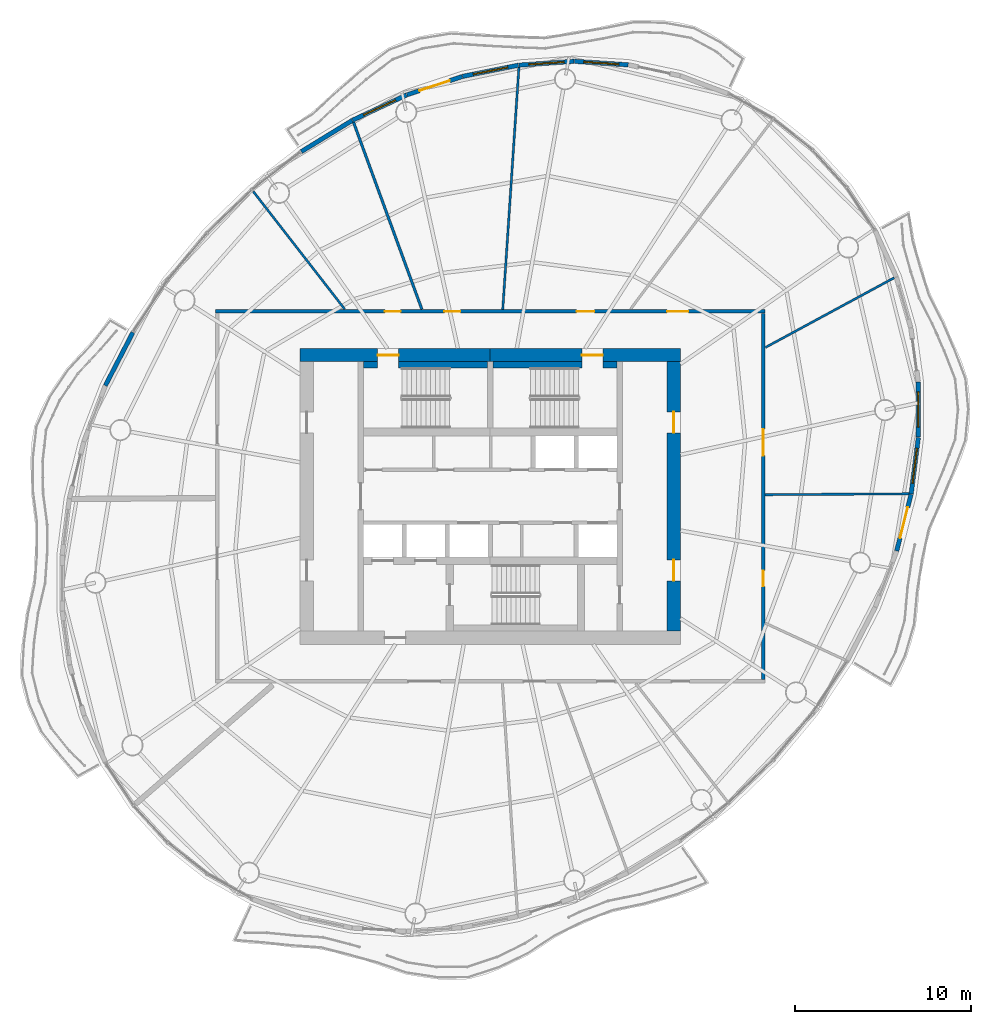
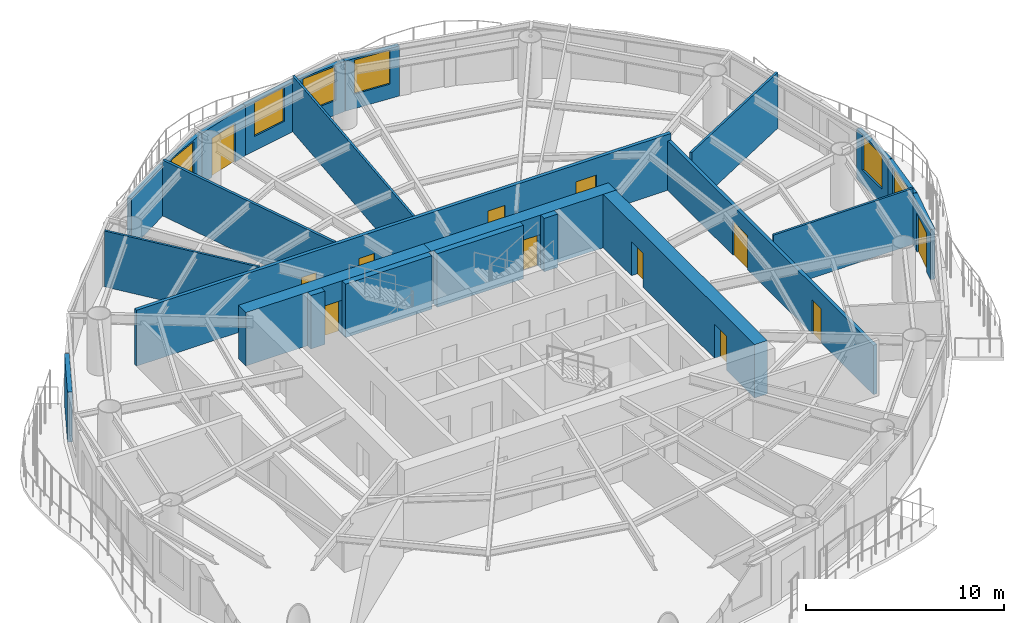
# One storey, part 10 of 15: 24 walls, 12 doors, 6 windows, 18 openings.
"""IFC4 building model written with IfcOpenShell, lengths in metres."""

from ifc_helpers import new_model, si_unit, direction, frame, frame_2d, origin, place, context, subcontext, project, spatial, rectangle, extrude, material, layer, layer_set, type_object, element, fill, save


model = new_model("IFC4")

# Units and contexts
model_context = context("Model", 3, precision=1e-05, world=origin(), true_north=direction((0.0, 1.0)))
body_context = subcontext(model_context, "Body", "Model", "MODEL_VIEW")
ifc_project = project(units=[si_unit("LENGTHUNIT", "METRE"), si_unit("AREAUNIT", "SQUARE_METRE"), si_unit("VOLUMEUNIT", "CUBIC_METRE"), si_unit("PLANEANGLEUNIT", "RADIAN"), si_unit("MASSUNIT", "GRAM", prefix="KILO")], contexts=[model_context])

# Site, building, storey
site_placement = place(None, origin())
site = spatial("IfcSite", under=ifc_project, at=site_placement, CompositionType="ELEMENT")
building_placement = place(site_placement, origin())
building = spatial("IfcBuilding", under=site, at=building_placement, Name="Vermilion Reach Broadcast Tower", CompositionType="ELEMENT")
storey_placement = place(building_placement, frame((0.0, 0.0, 220.89990234375)))
storey = spatial("IfcBuildingStorey", under=building, at=storey_placement, Name="L54", CompositionType="ELEMENT", Elevation=220.89990234375)

# Wall, opening, door
ifc_material_1 = material(Name="Concrete C60", Category="concrete")
ifc_layer_1 = layer(ifc_material_1, 0.75)
ifc_layer_set_1 = layer_set([ifc_layer_1], Name="Core outer wall 750 mm Concrete C60")
wall_type_1 = type_object("IfcWallType", Name="Core outer wall 750 mm Concrete C60", PredefinedType="SHEAR", material=ifc_layer_set_1)
wall_1_placement = place(storey_placement, frame((4.800048828125, 8.02490234375, 0.0), z_axis=(0.0, 0.0, 1.0), x_axis=(-1.0, 0.0, 0.0)))
wall_1 = element("IfcWall", 1, at=wall_1_placement, inside=storey, type_object=wall_type_1, Name="L54 core wall onE", PredefinedType="SHEAR", context=body_context, shape_type="SweptSolid", body=[
    extrude(rectangle(XDim=10.800048828125, YDim=0.75, at=frame_2d((5.39990234375, 0.0))), origin(), (0.0, 0.0, 1.0), 3.300048828125),
])
opening_1_placement = place(wall_1_placement, frame((4.39990234375, 0.0, 0.0)))
opening_1 = element("IfcOpeningElement", 2, at=opening_1_placement, cuts=wall_1, Name="Opening D01", PredefinedType="OPENING", context=body_context, shape_type="SweptSolid", body=[
    extrude(rectangle(XDim=1.199951171875, YDim=2.10009765625, at=frame_2d((0.60009765625, 1.050048828125))), frame((0.0, 0.385009765625, 0.0), z_axis=(0.0, -1.0, 0.0), x_axis=(1.0, 0.0, 0.0)), (0.0, 0.0, 1.0), 0.77001953125),
])
ifc_material_2 = material(Name="Painted steel fire door", Category="steel")
door_type_1 = type_object("IfcDoorType", Name="Stair door 1200 x 2100", OperationType="DOUBLE_DOOR_SINGLE_SWING", PredefinedType="NOTDEFINED", material=ifc_material_2)
door_1_placement = place(opening_1_placement, origin())
door_1 = element("IfcDoor", 3, at=door_1_placement, inside=storey, type_object=door_type_1, Name="L54 stair door ST2", OperationType="DOUBLE_DOOR_SINGLE_SWING", OverallHeight=2.10009765625, OverallWidth=1.199951171875, PredefinedType="NOTDEFINED", context=body_context, shape_type="SweptSolid", body=[
    extrude(rectangle(XDim=1.199951171875, YDim=2.10009765625, at=frame_2d((0.60009765625, 1.050048828125))), frame((0.0, 0.02490234375, 0.0), z_axis=(0.0, -1.0, 0.0), x_axis=(1.0, 0.0, 0.0)), (0.0, 0.0, 1.0), 0.050048828125),
])
fill(opening_1, door_1)

wall_2_placement = place(storey_placement, frame((-6.0, 8.02490234375, 0.0), z_axis=(0.0, 0.0, 1.0), x_axis=(-1.0, 0.0, 0.0)))
wall_2 = element("IfcWall", 4, at=wall_2_placement, inside=storey, type_object=wall_type_1, Name="L54 core wall onW", PredefinedType="SHEAR", context=body_context, shape_type="SweptSolid", body=[
    extrude(rectangle(XDim=10.800048828125, YDim=0.75, at=frame_2d((5.39990234375, 0.0))), origin(), (0.0, 0.0, 1.0), 3.300048828125),
])
opening_2_placement = place(wall_2_placement, frame((5.199951171875, 0.0, 0.0)))
opening_2 = element("IfcOpeningElement", 5, at=opening_2_placement, cuts=wall_2, Name="Opening D01", PredefinedType="OPENING", context=body_context, shape_type="SweptSolid", body=[
    extrude(rectangle(XDim=1.199951171875, YDim=2.10009765625, at=frame_2d((0.60009765625, 1.050048828125))), frame((0.0, 0.385009765625, 0.0), z_axis=(0.0, -1.0, 0.0), x_axis=(1.0, 0.0, 0.0)), (0.0, 0.0, 1.0), 0.77001953125),
])
door_2_placement = place(opening_2_placement, origin())
door_2 = element("IfcDoor", 6, at=door_2_placement, inside=storey, type_object=door_type_1, Name="L54 stair door ST1", OperationType="DOUBLE_DOOR_SINGLE_SWING", OverallHeight=2.10009765625, OverallWidth=1.199951171875, PredefinedType="NOTDEFINED", context=body_context, shape_type="SweptSolid", body=[
    extrude(rectangle(XDim=1.199951171875, YDim=2.10009765625, at=frame_2d((0.60009765625, 1.050048828125))), frame((0.0, 0.02490234375, 0.0), z_axis=(0.0, -1.0, 0.0), x_axis=(1.0, 0.0, 0.0)), (0.0, 0.0, 1.0), 0.050048828125),
])
fill(opening_2, door_2)

# Wall, openings, doors
wall_3_placement = place(storey_placement, frame((4.425048828125, -7.64990234375, 0.0), z_axis=(0.0, 0.0, 1.0), x_axis=(0.0, 1.0, 0.0)))
wall_3 = element("IfcWall", 7, at=wall_3_placement, inside=storey, type_object=wall_type_1, Name="L54 core wall oe", PredefinedType="SHEAR", context=body_context, shape_type="SweptSolid", body=[
    extrude(rectangle(XDim=15.2998046875, YDim=0.75, at=frame_2d((7.64990234375, 0.0))), origin(), (0.0, 0.0, 1.0), 3.300048828125),
])
opening_3_placement = place(wall_3_placement, frame((2.85009765625, 0.0, 0.0)))
opening_3 = element("IfcOpeningElement", 8, at=opening_3_placement, cuts=wall_3, Name="Opening D03", PredefinedType="OPENING", context=body_context, shape_type="SweptSolid", body=[
    extrude(rectangle(XDim=1.199951171875, YDim=2.10009765625, at=frame_2d((0.60009765625, 1.050048828125))), frame((0.0, 0.385009765625, 0.0), z_axis=(0.0, -1.0, 0.0), x_axis=(1.0, 0.0, 0.0)), (0.0, 0.0, 1.0), 0.77001953125),
])
opening_4_placement = place(wall_3_placement, frame((11.25, 0.0, 0.0)))
opening_4 = element("IfcOpeningElement", 9, at=opening_4_placement, cuts=wall_3, Name="Opening D03", PredefinedType="OPENING", context=body_context, shape_type="SweptSolid", body=[
    extrude(rectangle(XDim=1.199951171875, YDim=2.10009765625, at=frame_2d((0.60009765625, 1.050048828125))), frame((0.0, 0.385009765625, 0.0), z_axis=(0.0, -1.0, 0.0), x_axis=(1.0, 0.0, 0.0)), (0.0, 0.0, 1.0), 0.77001953125),
])
ifc_material_3 = material(Name="Painted steel fire door", Category="steel")
door_type_2 = type_object("IfcDoorType", Name="Core lobby door 1200 x 2100", OperationType="DOUBLE_DOOR_SINGLE_SWING", PredefinedType="NOTDEFINED", material=ifc_material_3)
door_3_placement = place(opening_3_placement, origin())
door_3 = element("IfcDoor", 10, at=door_3_placement, inside=storey, type_object=door_type_2, Name="L54 slot door E0", OperationType="DOUBLE_DOOR_SINGLE_SWING", OverallHeight=2.10009765625, OverallWidth=1.199951171875, PredefinedType="NOTDEFINED", context=body_context, shape_type="SweptSolid", body=[
    extrude(rectangle(XDim=1.199951171875, YDim=2.10009765625, at=frame_2d((0.60009765625, 1.050048828125))), frame((0.0, 0.02490234375, 0.0), z_axis=(0.0, -1.0, 0.0), x_axis=(1.0, 0.0, 0.0)), (0.0, 0.0, 1.0), 0.050048828125),
])
fill(opening_3, door_3)
door_4_placement = place(opening_4_placement, origin())
door_4 = element("IfcDoor", 11, at=door_4_placement, inside=storey, type_object=door_type_2, Name="L54 slot door E1", OperationType="DOUBLE_DOOR_SINGLE_SWING", OverallHeight=2.10009765625, OverallWidth=1.199951171875, PredefinedType="NOTDEFINED", context=body_context, shape_type="SweptSolid", body=[
    extrude(rectangle(XDim=1.199951171875, YDim=2.10009765625, at=frame_2d((0.60009765625, 1.050048828125))), frame((0.0, 0.02490234375, 0.0), z_axis=(0.0, -1.0, 0.0), x_axis=(1.0, 0.0, 0.0)), (0.0, 0.0, 1.0), 0.050048828125),
])
fill(opening_4, door_4)

# Walls
ifc_material_4 = material(Name="Concrete C60", Category="concrete")
ifc_layer_2 = layer(ifc_material_4, 0.35009765625)
ifc_layer_set_2 = layer_set([ifc_layer_2], Name="Core stair wall 350 mm Concrete C60")
wall_type_2 = type_object("IfcWallType", Name="Core stair wall 350 mm Concrete C60", PredefinedType="SHEAR", material=ifc_layer_set_2)
wall_4_placement = place(storey_placement, frame((-13.199951171875, 7.47509765625, 0.0), z_axis=(0.0, 0.0, 1.0), x_axis=(1.0, 0.0, 0.0)))
element("IfcWall", 12, at=wall_4_placement, inside=storey, type_object=wall_type_2, Name="L54 core wall l1a", PredefinedType="SHEAR", context=body_context, shape_type="SweptSolid", body=[
    extrude(rectangle(XDim=0.800048828125, YDim=0.35009765625, at=frame_2d((0.39990234375, 0.0))), origin(), (0.0, 0.0, 1.0), 3.300048828125),
])
for number, where, z_axis, x_axis, name in (
    (13, (-11.199951171875, 7.47509765625, 0.0), (0.0, 0.0, 1.0), (1.0, 0.0, 0.0), "L54 core wall l1b"),
    (14, (-5.85009765625, 7.47509765625, 0.0), (0.0, 0.0, 1.0), (1.0, 0.0, 0.0), "L54 core wall l2a"),
):
    element("IfcWall", number, at=place(storey_placement, frame(where, z_axis=z_axis, x_axis=x_axis)), inside=storey, type_object=wall_type_2, Name=name, PredefinedType="SHEAR", context=body_context, shape_type="SweptSolid", body=[
        extrude(rectangle(XDim=5.050048828125, YDim=0.35009765625, at=frame_2d((2.52490234375, 0.0))), origin(), (0.0, 0.0, 1.0), 3.300048828125),
    ])
wall_5_placement = place(storey_placement, frame((0.39990234375, 7.47509765625, 0.0), z_axis=(0.0, 0.0, 1.0), x_axis=(1.0, 0.0, 0.0)))
element("IfcWall", 15, at=wall_5_placement, inside=storey, type_object=wall_type_2, Name="L54 core wall l2b", PredefinedType="SHEAR", context=body_context, shape_type="SweptSolid", body=[
    extrude(rectangle(XDim=0.800048828125, YDim=0.35009765625, at=frame_2d((0.39990234375, 0.0))), origin(), (0.0, 0.0, 1.0), 3.300048828125),
])

# Wall, openings, doors
ifc_material_5 = material(Name="Fire-rated gypsum board partition")
ifc_layer_3 = layer(ifc_material_5, 0.199951171875)
ifc_layer_set_3 = layer_set([ifc_layer_3], Name="Corridor wall 200 fire-rated")
wall_type_3 = type_object("IfcWallType", Name="Corridor wall 200 fire-rated", PredefinedType="PARTITIONING", material=ifc_layer_set_3)
wall_6_placement = place(storey_placement, frame((-21.60009765625, 10.5, 0.0), z_axis=(0.0, 0.0, 1.0), x_axis=(1.0, 0.0, 0.0)))
wall_6 = element("IfcWall", 16, at=wall_6_placement, inside=storey, type_object=wall_type_3, Name="Corridor wall 54.N", PredefinedType="PARTITIONING", context=body_context, shape_type="SweptSolid", body=[
    extrude(rectangle(XDim=31.2001953125, YDim=0.199951171875, at=frame_2d((15.60009765625, 0.0))), origin(), (0.0, 0.0, 1.0), 3.4501953125),
])
opening_5_placement = place(wall_6_placement, frame((20.508544921875, 0.0, 0.0)))
opening_5 = element("IfcOpeningElement", 17, at=opening_5_placement, cuts=wall_6, Name="Opening D23", PredefinedType="OPENING", context=body_context, shape_type="SweptSolid", body=[
    extrude(rectangle(XDim=1.0, YDim=2.39990234375, at=frame_2d((0.5, 1.199951171875))), frame((0.0, 0.10986328125, 0.0), z_axis=(0.0, -1.0, 0.0), x_axis=(1.0, 0.0, 0.0)), (0.0, 0.0, 1.0), 0.219970703125),
])
opening_6_placement = place(wall_6_placement, frame((13.001220703125, 0.0, 0.0)))
opening_6 = element("IfcOpeningElement", 18, at=opening_6_placement, cuts=wall_6, Name="Opening D22", PredefinedType="OPENING", context=body_context, shape_type="SweptSolid", body=[
    extrude(rectangle(XDim=0.89990234375, YDim=2.10009765625, at=frame_2d((0.449951171875, 1.050048828125))), frame((0.0, 0.10986328125, 0.0), z_axis=(0.0, -1.0, 0.0), x_axis=(1.0, 0.0, 0.0)), (0.0, 0.0, 1.0), 0.219970703125),
])
opening_7_placement = place(wall_6_placement, frame((9.616943359375, 0.0, 0.0)))
opening_7 = element("IfcOpeningElement", 19, at=opening_7_placement, cuts=wall_6, Name="Opening D22", PredefinedType="OPENING", context=body_context, shape_type="SweptSolid", body=[
    extrude(rectangle(XDim=0.89990234375, YDim=2.10009765625, at=frame_2d((0.449951171875, 1.050048828125))), frame((0.0, 0.10986328125, 0.0), z_axis=(0.0, -1.0, 0.0), x_axis=(1.0, 0.0, 0.0)), (0.0, 0.0, 1.0), 0.219970703125),
])
opening_8_placement = place(wall_6_placement, frame((25.64599609375, 0.0, 0.0)))
opening_8 = element("IfcOpeningElement", 20, at=opening_8_placement, cuts=wall_6, Name="Opening D29", PredefinedType="OPENING", context=body_context, shape_type="SweptSolid", body=[
    extrude(rectangle(XDim=1.199951171875, YDim=2.39990234375, at=frame_2d((0.60009765625, 1.199951171875))), frame((0.0, 0.10986328125, 0.0), z_axis=(0.0, -1.0, 0.0), x_axis=(1.0, 0.0, 0.0)), (0.0, 0.0, 1.0), 0.219970703125),
])
ifc_material_6 = material(Name="Veneered timber door leaf", Category="wood")
door_type_3 = type_object("IfcDoorType", Name="Door single 1000x2400", OperationType="NOTDEFINED", PredefinedType="DOOR", material=ifc_material_6)
door_5_placement = place(opening_5_placement, origin())
door_5 = element("IfcDoor", 21, at=door_5_placement, inside=storey, type_object=door_type_3, Name="Door 54.01", OperationType="SINGLE_SWING_RIGHT", OverallHeight=2.39990234375, OverallWidth=1.0, PredefinedType="DOOR", context=body_context, shape_type="SweptSolid", body=[
    extrude(rectangle(XDim=1.0, YDim=2.39990234375, at=frame_2d((0.5, 1.199951171875))), frame((0.0, 0.02490234375, 0.0), z_axis=(0.0, -1.0, 0.0), x_axis=(1.0, 0.0, 0.0)), (0.0, 0.0, 1.0), 0.050048828125),
])
fill(opening_5, door_5)
ifc_material_7 = material(Name="Veneered timber door leaf", Category="wood")
door_type_4 = type_object("IfcDoorType", Name="Door single 1200x2400", OperationType="NOTDEFINED", PredefinedType="DOOR", material=ifc_material_7)
door_6_placement = place(opening_8_placement, origin())
door_6 = element("IfcDoor", 22, at=door_6_placement, inside=storey, type_object=door_type_4, Name="Door 54.12", OperationType="SINGLE_SWING_LEFT", OverallHeight=2.39990234375, OverallWidth=1.199951171875, PredefinedType="DOOR", context=body_context, shape_type="SweptSolid", body=[
    extrude(rectangle(XDim=1.199951171875, YDim=2.39990234375, at=frame_2d((0.60009765625, 1.199951171875))), frame((0.0, 0.02490234375, 0.0), z_axis=(0.0, -1.0, 0.0), x_axis=(1.0, 0.0, 0.0)), (0.0, 0.0, 1.0), 0.050048828125),
])
fill(opening_8, door_6)
ifc_material_8 = material(Name="Timber door leaf", Category="wood")
door_type_5 = type_object("IfcDoorType", Name="Door single 900x2100", OperationType="NOTDEFINED", PredefinedType="DOOR", material=ifc_material_8)
door_7_placement = place(opening_6_placement, origin())
door_7 = element("IfcDoor", 23, at=door_7_placement, inside=storey, type_object=door_type_5, Name="Door 54.02", OperationType="SINGLE_SWING_LEFT", OverallHeight=2.10009765625, OverallWidth=0.89990234375, PredefinedType="DOOR", context=body_context, shape_type="SweptSolid", body=[
    extrude(rectangle(XDim=0.89990234375, YDim=2.10009765625, at=frame_2d((0.449951171875, 1.050048828125))), frame((0.0, 0.02490234375, 0.0), z_axis=(0.0, -1.0, 0.0), x_axis=(1.0, 0.0, 0.0)), (0.0, 0.0, 1.0), 0.050048828125),
])
fill(opening_6, door_7)
door_8_placement = place(opening_7_placement, origin())
door_8 = element("IfcDoor", 24, at=door_8_placement, inside=storey, type_object=door_type_5, Name="Door 54.03", OperationType="SINGLE_SWING_RIGHT", OverallHeight=2.10009765625, OverallWidth=0.89990234375, PredefinedType="DOOR", context=body_context, shape_type="SweptSolid", body=[
    extrude(rectangle(XDim=0.89990234375, YDim=2.10009765625, at=frame_2d((0.449951171875, 1.050048828125))), frame((0.0, 0.02490234375, 0.0), z_axis=(0.0, -1.0, 0.0), x_axis=(1.0, 0.0, 0.0)), (0.0, 0.0, 1.0), 0.050048828125),
])
fill(opening_7, door_8)

# Walls
ifc_material_9 = material(Name="Fire-rated plasterboard on steel stud", Category="steel")
ifc_layer_4 = layer(ifc_material_9, 0.125)
ifc_layer_set_4 = layer_set([ifc_layer_4], Name="Partition 125 fire-rated stud")
wall_type_4 = type_object("IfcWallType", Name="Partition 125 fire-rated stud", PredefinedType="PARTITIONING", material=ifc_layer_set_4)
wall_7_placement = place(storey_placement, frame((-4.371826171875, 24.36328125, 0.0), z_axis=(0.0, 0.0, 1.0), x_axis=(-0.066675295354, -0.997774726574, 0.0)))
element("IfcWall", 25, at=wall_7_placement, inside=storey, type_object=wall_type_4, Name="Partition 54.02", PredefinedType="PARTITIONING", context=body_context, shape_type="SweptSolid", body=[
    extrude(rectangle(XDim=13.789794921875, YDim=0.125, at=frame_2d((6.89501953125, 0.0))), origin(), (0.0, 0.0, 1.0), 3.4501953125),
])
wall_8_placement = place(storey_placement, frame((-19.456787109375, 17.31396484375, 0.0), z_axis=(0.0, 0.0, 1.0), x_axis=(0.613674696521, -0.789558969837, 0.0)))
element("IfcWall", 26, at=wall_8_placement, inside=storey, type_object=wall_type_4, Name="Partition 54.04", PredefinedType="PARTITIONING", context=body_context, shape_type="SweptSolid", body=[
    extrude(rectangle(XDim=8.454833984375, YDim=0.125, at=frame_2d((4.2275390625, 0.0))), origin(), (0.0, 0.0, 1.0), 3.4501953125),
])
wall_9_placement = place(storey_placement, frame((17.77685546875, 0.146728515625, 0.0), z_axis=(0.0, 0.0, 1.0), x_axis=(-0.999980899619, -0.006180646927, 0.0)))
element("IfcWall", 27, at=wall_9_placement, inside=storey, type_object=wall_type_4, Name="Partition 54.11", PredefinedType="PARTITIONING", context=body_context, shape_type="SweptSolid", body=[
    extrude(rectangle(XDim=8.1767578125, YDim=0.125, at=frame_2d((4.08837890625, 0.0))), origin(), (0.0, 0.0, 1.0), 3.4501953125),
])
wall_10_placement = place(storey_placement, frame((16.93896484375, 12.414794921875, 0.0), z_axis=(0.0, 0.0, 1.0), x_axis=(-0.879463626067, -0.47596610218, 0.0)))
element("IfcWall", 28, at=wall_10_placement, inside=storey, type_object=wall_type_4, Name="Partition 54.12", PredefinedType="PARTITIONING", context=body_context, shape_type="SweptSolid", body=[
    extrude(rectangle(XDim=8.31103515625, YDim=0.125, at=frame_2d((4.155517578125, 0.0))), origin(), (0.0, 0.0, 1.0), 3.4501953125),
])
ifc_material_10 = material(Name="Lightweight concrete block, plastered", Category="concrete")
ifc_layer_5 = layer(ifc_material_10, 0.14990234375)
ifc_layer_set_5 = layer_set([ifc_layer_5], Name="Partition 150 lightweight block")
wall_type_5 = type_object("IfcWallType", Name="Partition 150 lightweight block", PredefinedType="PARTITIONING", material=ifc_layer_set_5)
wall_11_placement = place(storey_placement, frame((-13.764892578125, 21.2490234375, 0.0), z_axis=(0.0, 0.0, 1.0), x_axis=(0.34323140515, -0.939250873046, 0.0)))
element("IfcWall", 29, at=wall_11_placement, inside=storey, type_object=wall_type_5, Name="Partition 54.03", PredefinedType="PARTITIONING", context=body_context, shape_type="SweptSolid", body=[
    extrude(rectangle(XDim=11.310302734375, YDim=0.14990234375, at=frame_2d((5.6552734375, 0.0))), origin(), (0.0, 0.0, 1.0), 3.4501953125),
])

# Wall, opening, window
ifc_material_11 = material(Name="Terracotta rainscreen cladding", Category="masonry")
ifc_layer_6 = layer(ifc_material_11, 0.25)
ifc_layer_set_6 = layer_set([ifc_layer_6], Name="Terracotta rainscreen wall 250")
wall_type_6 = type_object("IfcWallType", Name="Terracotta rainscreen wall 250", PredefinedType="SOLIDWALL", material=ifc_layer_set_6)
wall_12_placement = place(storey_placement, frame((1.83349609375, 24.505615234375, 0.0), z_axis=(0.0, 0.0, 1.0), x_axis=(-0.997842734826, 0.065649650074, 0.0)))
wall_12 = element("IfcWall", 30, at=wall_12_placement, inside=storey, type_object=wall_type_6, Name="External wall L54 04", PredefinedType="SOLIDWALL", context=body_context, shape_type="SweptSolid", body=[
    extrude(rectangle(XDim=3.056884765625, YDim=0.25, at=frame_2d((1.5283203125, 0.0))), origin(), (0.0, 0.0, 1.0), 3.10009765625),
])
opening_9_placement = place(wall_12_placement, frame((0.528564453125, 0.0, 0.89990234375)))
opening_9 = element("IfcOpeningElement", 31, at=opening_9_placement, cuts=wall_12, Name="Opening W03", PredefinedType="OPENING", context=body_context, shape_type="SweptSolid", body=[
    extrude(rectangle(XDim=2.0, YDim=2.10009765625, at=frame_2d((1.0, 1.050048828125))), frame((0.0, 0.135009765625, 0.0), z_axis=(0.0, -1.0, 0.0), x_axis=(1.0, 0.0, 0.0)), (0.0, 0.0, 1.0), 0.27001953125),
])
ifc_material_12 = material(Name="Low-e laminated clear glass in aluminium frame", Category="aluminium")
window_type = type_object("IfcWindowType", Name="Punched window 2000 x 2100 sill 900", PartitioningType="SINGLE_PANEL", PredefinedType="WINDOW", material=ifc_material_12)
window_1_placement = place(opening_9_placement, origin())
window_1 = element("IfcWindow", 32, at=window_1_placement, inside=storey, type_object=window_type, Name="Window L54 04", OverallHeight=2.10009765625, OverallWidth=2.0, PartitioningType="SINGLE_PANEL", PredefinedType="WINDOW", context=body_context, shape_type="SweptSolid", body=[
    extrude(rectangle(XDim=2.0, YDim=2.10009765625, at=frame_2d((1.0, 1.050048828125))), frame((0.0, 0.030029296875, 0.0), z_axis=(0.0, -1.0, 0.0), x_axis=(1.0, 0.0, 0.0)), (0.0, 0.0, 1.0), 0.06005859375),
])
fill(opening_9, window_1)

wall_13_placement = place(storey_placement, frame((-1.24169921875, 24.706298828125, 0.0), z_axis=(0.0, 0.0, 1.0), x_axis=(-0.997585250628, -0.069452629395, 0.0)))
wall_13 = element("IfcWall", 33, at=wall_13_placement, inside=storey, type_object=wall_type_6, Name="External wall L54 05", PredefinedType="SOLIDWALL", context=body_context, shape_type="SweptSolid", body=[
    extrude(rectangle(XDim=3.142578125, YDim=0.25, at=frame_2d((1.5712890625, 0.0))), origin(), (0.0, 0.0, 1.0), 3.10009765625),
])
opening_10_placement = place(wall_13_placement, frame((0.5712890625, 0.0, 0.89990234375)))
opening_10 = element("IfcOpeningElement", 34, at=opening_10_placement, cuts=wall_13, Name="Opening W03", PredefinedType="OPENING", context=body_context, shape_type="SweptSolid", body=[
    extrude(rectangle(XDim=2.0, YDim=2.10009765625, at=frame_2d((1.0, 1.050048828125))), frame((0.0, 0.135009765625, 0.0), z_axis=(0.0, -1.0, 0.0), x_axis=(1.0, 0.0, 0.0)), (0.0, 0.0, 1.0), 0.27001953125),
])
window_2_placement = place(opening_10_placement, origin())
window_2 = element("IfcWindow", 35, at=window_2_placement, inside=storey, type_object=window_type, Name="Window L54 05", OverallHeight=2.10009765625, OverallWidth=2.0, PartitioningType="SINGLE_PANEL", PredefinedType="WINDOW", context=body_context, shape_type="SweptSolid", body=[
    extrude(rectangle(XDim=2.0, YDim=2.10009765625, at=frame_2d((1.0, 1.050048828125))), frame((0.0, 0.030029296875, 0.0), z_axis=(0.0, -1.0, 0.0), x_axis=(1.0, 0.0, 0.0)), (0.0, 0.0, 1.0), 0.06005859375),
])
fill(opening_10, window_2)

wall_14_placement = place(storey_placement, frame((-4.400390625, 24.48486328125, 0.0), z_axis=(0.0, 0.0, 1.0), x_axis=(-0.980484586875, -0.19659596868, 0.0)))
wall_14 = element("IfcWall", 36, at=wall_14_placement, inside=storey, type_object=wall_type_6, Name="External wall L54 06", PredefinedType="SOLIDWALL", context=body_context, shape_type="SweptSolid", body=[
    extrude(rectangle(XDim=3.228759765625, YDim=0.25, at=frame_2d((1.6142578125, 0.0))), origin(), (0.0, 0.0, 1.0), 3.10009765625),
])
opening_11_placement = place(wall_14_placement, frame((0.6142578125, 0.0, 0.89990234375)))
opening_11 = element("IfcOpeningElement", 37, at=opening_11_placement, cuts=wall_14, Name="Opening W03", PredefinedType="OPENING", context=body_context, shape_type="SweptSolid", body=[
    extrude(rectangle(XDim=2.0, YDim=2.10009765625, at=frame_2d((1.0, 1.050048828125))), frame((0.0, 0.135009765625, 0.0), z_axis=(0.0, -1.0, 0.0), x_axis=(1.0, 0.0, 0.0)), (0.0, 0.0, 1.0), 0.27001953125),
])
window_3_placement = place(opening_11_placement, origin())
window_3 = element("IfcWindow", 38, at=window_3_placement, inside=storey, type_object=window_type, Name="Window L54 06", OverallHeight=2.10009765625, OverallWidth=2.0, PartitioningType="SINGLE_PANEL", PredefinedType="WINDOW", context=body_context, shape_type="SweptSolid", body=[
    extrude(rectangle(XDim=2.0, YDim=2.10009765625, at=frame_2d((1.0, 1.050048828125))), frame((0.0, 0.030029296875, 0.0), z_axis=(0.0, -1.0, 0.0), x_axis=(1.0, 0.0, 0.0)), (0.0, 0.0, 1.0), 0.06005859375),
])
fill(opening_11, window_3)

# Wall, opening, door
wall_15_placement = place(storey_placement, frame((-7.588623046875, 23.843994140625, 0.0), z_axis=(0.0, 0.0, 1.0), x_axis=(-0.949220414117, -0.314611832935, 0.0)))
wall_15 = element("IfcWall", 39, at=wall_15_placement, inside=storey, type_object=wall_type_6, Name="External wall L54 07", PredefinedType="SOLIDWALL", context=body_context, shape_type="SweptSolid", body=[
    extrude(rectangle(XDim=3.3095703125, YDim=0.25, at=frame_2d((1.65478515625, 0.0))), origin(), (0.0, 0.0, 1.0), 3.10009765625),
])
opening_12_placement = place(wall_15_placement, frame((0.7548828125, 0.0, 0.0)))
opening_12 = element("IfcOpeningElement", 40, at=opening_12_placement, cuts=wall_15, Name="Opening D70", PredefinedType="OPENING", context=body_context, shape_type="SweptSolid", body=[
    extrude(rectangle(XDim=1.800048828125, YDim=2.39990234375, at=frame_2d((0.89990234375, 1.199951171875))), frame((0.0, 0.135009765625, 0.0), z_axis=(0.0, -1.0, 0.0), x_axis=(1.0, 0.0, 0.0)), (0.0, 0.0, 1.0), 0.27001953125),
])
ifc_material_13 = material(Name="Low-e laminated clear glass in aluminium frame", Category="aluminium")
door_type_6 = type_object("IfcDoorType", Name="Balcony sliding door 1800 x 2400", OperationType="DOUBLE_DOOR_SLIDING", PredefinedType="DOOR", material=ifc_material_13)
door_9_placement = place(opening_12_placement, origin())
door_9 = element("IfcDoor", 41, at=door_9_placement, inside=storey, type_object=door_type_6, Name="Balcony door L54 run 02", OperationType="DOUBLE_DOOR_SLIDING", OverallHeight=2.39990234375, OverallWidth=1.800048828125, PredefinedType="DOOR", context=body_context, shape_type="SweptSolid", body=[
    extrude(rectangle(XDim=1.800048828125, YDim=2.39990234375, at=frame_2d((0.89990234375, 1.199951171875))), frame((0.0, 0.02490234375, 0.0), z_axis=(0.0, -1.0, 0.0), x_axis=(1.0, 0.0, 0.0)), (0.0, 0.0, 1.0), 0.050048828125),
])
fill(opening_12, door_9)

# Wall, opening, window
wall_16_placement = place(storey_placement, frame((-10.751220703125, 22.79443359375, 0.0), z_axis=(0.0, 0.0, 1.0), x_axis=(-0.906026245015, -0.42322150624, 0.0)))
wall_16 = element("IfcWall", 42, at=wall_16_placement, inside=storey, type_object=wall_type_6, Name="External wall L54 08", PredefinedType="SOLIDWALL", context=body_context, shape_type="SweptSolid", body=[
    extrude(rectangle(XDim=3.38037109375, YDim=0.25, at=frame_2d((1.690185546875, 0.0))), origin(), (0.0, 0.0, 1.0), 3.10009765625),
])
opening_13_placement = place(wall_16_placement, frame((0.690185546875, 0.0, 0.89990234375)))
opening_13 = element("IfcOpeningElement", 43, at=opening_13_placement, cuts=wall_16, Name="Opening W03", PredefinedType="OPENING", context=body_context, shape_type="SweptSolid", body=[
    extrude(rectangle(XDim=2.0, YDim=2.10009765625, at=frame_2d((1.0, 1.050048828125))), frame((0.0, 0.135009765625, 0.0), z_axis=(0.0, -1.0, 0.0), x_axis=(1.0, 0.0, 0.0)), (0.0, 0.0, 1.0), 0.27001953125),
])
window_4_placement = place(opening_13_placement, origin())
window_4 = element("IfcWindow", 44, at=window_4_placement, inside=storey, type_object=window_type, Name="Window L54 08", OverallHeight=2.10009765625, OverallWidth=2.0, PartitioningType="SINGLE_PANEL", PredefinedType="WINDOW", context=body_context, shape_type="SweptSolid", body=[
    extrude(rectangle(XDim=2.0, YDim=2.10009765625, at=frame_2d((1.0, 1.050048828125))), frame((0.0, 0.030029296875, 0.0), z_axis=(0.0, -1.0, 0.0), x_axis=(1.0, 0.0, 0.0)), (0.0, 0.0, 1.0), 0.06005859375),
])
fill(opening_13, window_4)

# Walls
wall_17_placement = place(storey_placement, frame((-13.83349609375, 21.353271484375, 0.0), z_axis=(0.0, 0.0, 1.0), x_axis=(-0.852681900505, -0.522430451402, 0.0)))
element("IfcWall", 45, at=wall_17_placement, inside=storey, type_object=wall_type_6, Name="External wall L54 09", PredefinedType="SOLIDWALL", context=body_context, shape_type="SweptSolid", body=[
    extrude(rectangle(XDim=3.393310546875, YDim=0.25, at=frame_2d((1.69677734375, 0.0))), origin(), (0.0, 0.0, 1.0), 3.10009765625),
])
wall_18_placement = place(storey_placement, frame((-26.294189453125, 9.306396484375, 0.0), z_axis=(0.0, 0.0, 1.0), x_axis=(-0.460432675655, -0.887694627216, 0.0)))
element("IfcWall", 46, at=wall_18_placement, inside=storey, type_object=wall_type_6, Name="External wall L54 14", PredefinedType="SOLIDWALL", context=body_context, shape_type="SweptSolid", body=[
    extrude(rectangle(XDim=3.39306640625, YDim=0.25, at=frame_2d((1.696533203125, 0.0))), origin(), (0.0, 0.0, 1.0), 3.10009765625),
])

# Wall, opening, door
wall_19_placement = place(storey_placement, frame((17.08154296875, -3.095703125, 0.0), z_axis=(0.0, 0.0, 1.0), x_axis=(0.246300133035, 0.969193605255, 0.0)))
wall_19 = element("IfcWall", 47, at=wall_19_placement, inside=storey, type_object=wall_type_6, Name="External wall L54 40", PredefinedType="SOLIDWALL", context=body_context, shape_type="SweptSolid", body=[
    extrude(rectangle(XDim=3.309814453125, YDim=0.25, at=frame_2d((1.65478515625, 0.0))), origin(), (0.0, 0.0, 1.0), 3.10009765625),
])
opening_14_placement = place(wall_19_placement, frame((0.7548828125, 0.0, 0.0)))
opening_14 = element("IfcOpeningElement", 48, at=opening_14_placement, cuts=wall_19, Name="Opening D70", PredefinedType="OPENING", context=body_context, shape_type="SweptSolid", body=[
    extrude(rectangle(XDim=1.800048828125, YDim=2.39990234375, at=frame_2d((0.89990234375, 1.199951171875))), frame((0.0, 0.135009765625, 0.0), z_axis=(0.0, -1.0, 0.0), x_axis=(1.0, 0.0, 0.0)), (0.0, 0.0, 1.0), 0.27001953125),
])
door_10_placement = place(opening_14_placement, origin())
door_10 = element("IfcDoor", 49, at=door_10_placement, inside=storey, type_object=door_type_6, Name="Balcony door L54 run 10", OperationType="DOUBLE_DOOR_SLIDING", OverallHeight=2.39990234375, OverallWidth=1.800048828125, PredefinedType="DOOR", context=body_context, shape_type="SweptSolid", body=[
    extrude(rectangle(XDim=1.800048828125, YDim=2.39990234375, at=frame_2d((0.89990234375, 1.199951171875))), frame((0.0, 0.02490234375, 0.0), z_axis=(0.0, -1.0, 0.0), x_axis=(1.0, 0.0, 0.0)), (0.0, 0.0, 1.0), 0.050048828125),
])
fill(opening_14, door_10)

# Wall, opening, window
wall_20_placement = place(storey_placement, frame((17.90087890625, 0.134765625, 0.0), z_axis=(0.0, 0.0, 1.0), x_axis=(0.126351687355, 0.991985509522, 0.0)))
wall_20 = element("IfcWall", 50, at=wall_20_placement, inside=storey, type_object=wall_type_6, Name="External wall L54 41", PredefinedType="SOLIDWALL", context=body_context, shape_type="SweptSolid", body=[
    extrude(rectangle(XDim=3.228759765625, YDim=0.25, at=frame_2d((1.6142578125, 0.0))), origin(), (0.0, 0.0, 1.0), 3.10009765625),
])
opening_15_placement = place(wall_20_placement, frame((0.6142578125, 0.0, 0.89990234375)))
opening_15 = element("IfcOpeningElement", 51, at=opening_15_placement, cuts=wall_20, Name="Opening W03", PredefinedType="OPENING", context=body_context, shape_type="SweptSolid", body=[
    extrude(rectangle(XDim=2.0, YDim=2.10009765625, at=frame_2d((1.0, 1.050048828125))), frame((0.0, 0.135009765625, 0.0), z_axis=(0.0, -1.0, 0.0), x_axis=(1.0, 0.0, 0.0)), (0.0, 0.0, 1.0), 0.27001953125),
])
window_5_placement = place(opening_15_placement, origin())
window_5 = element("IfcWindow", 52, at=window_5_placement, inside=storey, type_object=window_type, Name="Window L54 41", OverallHeight=2.10009765625, OverallWidth=2.0, PartitioningType="SINGLE_PANEL", PredefinedType="WINDOW", context=body_context, shape_type="SweptSolid", body=[
    extrude(rectangle(XDim=2.0, YDim=2.10009765625, at=frame_2d((1.0, 1.050048828125))), frame((0.0, 0.030029296875, 0.0), z_axis=(0.0, -1.0, 0.0), x_axis=(1.0, 0.0, 0.0)), (0.0, 0.0, 1.0), 0.06005859375),
])
fill(opening_15, window_5)

wall_21_placement = place(storey_placement, frame((18.310302734375, 3.361572265625, 0.0), z_axis=(0.0, 0.0, 1.0), x_axis=(-0.001631445933, 0.999998669191, 0.0)))
wall_21 = element("IfcWall", 53, at=wall_21_placement, inside=storey, type_object=wall_type_6, Name="External wall L54 42", PredefinedType="SOLIDWALL", context=body_context, shape_type="SweptSolid", body=[
    extrude(rectangle(XDim=3.142578125, YDim=0.25, at=frame_2d((1.5712890625, 0.0))), origin(), (0.0, 0.0, 1.0), 3.10009765625),
])
opening_16_placement = place(wall_21_placement, frame((0.5712890625, 0.0, 0.89990234375)))
opening_16 = element("IfcOpeningElement", 54, at=opening_16_placement, cuts=wall_21, Name="Opening W03", PredefinedType="OPENING", context=body_context, shape_type="SweptSolid", body=[
    extrude(rectangle(XDim=2.0, YDim=2.10009765625, at=frame_2d((1.0, 1.050048828125))), frame((0.0, 0.135009765625, 0.0), z_axis=(0.0, -1.0, 0.0), x_axis=(1.0, 0.0, 0.0)), (0.0, 0.0, 1.0), 0.27001953125),
])
window_6_placement = place(opening_16_placement, origin())
window_6 = element("IfcWindow", 55, at=window_6_placement, inside=storey, type_object=window_type, Name="Window L54 42", OverallHeight=2.10009765625, OverallWidth=2.0, PartitioningType="SINGLE_PANEL", PredefinedType="WINDOW", context=body_context, shape_type="SweptSolid", body=[
    extrude(rectangle(XDim=2.0, YDim=2.10009765625, at=frame_2d((1.0, 1.050048828125))), frame((0.0, 0.030029296875, 0.0), z_axis=(0.0, -1.0, 0.0), x_axis=(1.0, 0.0, 0.0)), (0.0, 0.0, 1.0), 0.06005859375),
])
fill(opening_16, window_6)

# Wall, openings, doors
ifc_material_14 = material(Name="Fire-rated gypsum board partition")
ifc_layer_7 = layer(ifc_material_14, 0.199951171875)
ifc_layer_set_7 = layer_set([ifc_layer_7], Name="Under girder: Corridor wall 200 fire-rated")
wall_type_7 = type_object("IfcWallType", Name="Under girder: Corridor wall 200 fire-rated", PredefinedType="PARTITIONING", material=ifc_layer_set_7)
wall_22_placement = place(storey_placement, frame((9.5, 10.39990234375, 0.0), z_axis=(0.0, 0.0, 1.0), x_axis=(0.0, -1.0, 0.0)))
wall_22 = element("IfcWall", 56, at=wall_22_placement, inside=storey, type_object=wall_type_7, Name="Corridor wall 54.E", PredefinedType="PARTITIONING", context=body_context, shape_type="SweptSolid", body=[
    extrude(rectangle(XDim=20.7998046875, YDim=0.199951171875, at=frame_2d((10.39990234375, 0.0))), origin(), (0.0, 0.0, 1.0), 3.050048828125),
])
opening_17_placement = place(wall_22_placement, frame((14.60888671875, 0.0, 0.0)))
opening_17 = element("IfcOpeningElement", 57, at=opening_17_placement, cuts=wall_22, Name="Opening D22", PredefinedType="OPENING", context=body_context, shape_type="SweptSolid", body=[
    extrude(rectangle(XDim=0.89990234375, YDim=2.10009765625, at=frame_2d((0.449951171875, 1.050048828125))), frame((0.0, 0.10986328125, 0.0), z_axis=(0.0, -1.0, 0.0), x_axis=(1.0, 0.0, 0.0)), (0.0, 0.0, 1.0), 0.219970703125),
])
opening_18_placement = place(wall_22_placement, frame((6.584716796875, 0.0, 0.0)))
opening_18 = element("IfcOpeningElement", 58, at=opening_18_placement, cuts=wall_22, Name="Opening D24", PredefinedType="OPENING", context=body_context, shape_type="SweptSolid", body=[
    extrude(rectangle(XDim=1.5, YDim=2.10009765625, at=frame_2d((0.75, 1.050048828125))), frame((0.0, 0.10986328125, 0.0), z_axis=(0.0, -1.0, 0.0), x_axis=(1.0, 0.0, 0.0)), (0.0, 0.0, 1.0), 0.219970703125),
])
ifc_material_15 = material(Name="Timber door leaf", Category="wood")
door_type_7 = type_object("IfcDoorType", Name="Door pair 1500x2100", OperationType="NOTDEFINED", PredefinedType="DOOR", material=ifc_material_15)
door_11_placement = place(opening_18_placement, origin())
door_11 = element("IfcDoor", 59, at=door_11_placement, inside=storey, type_object=door_type_7, Name="Door 54.11", OperationType="DOUBLE_DOOR_SINGLE_SWING", OverallHeight=2.10009765625, OverallWidth=1.5, PredefinedType="DOOR", context=body_context, shape_type="SweptSolid", body=[
    extrude(rectangle(XDim=1.5, YDim=2.10009765625, at=frame_2d((0.75, 1.050048828125))), frame((0.0, 0.02490234375, 0.0), z_axis=(0.0, -1.0, 0.0), x_axis=(1.0, 0.0, 0.0)), (0.0, 0.0, 1.0), 0.050048828125),
])
fill(opening_18, door_11)
door_12_placement = place(opening_17_placement, origin())
door_12 = element("IfcDoor", 60, at=door_12_placement, inside=storey, type_object=door_type_5, Name="Door 54.10", OperationType="SINGLE_SWING_RIGHT", OverallHeight=2.10009765625, OverallWidth=0.89990234375, PredefinedType="DOOR", context=body_context, shape_type="SweptSolid", body=[
    extrude(rectangle(XDim=0.89990234375, YDim=2.10009765625, at=frame_2d((0.449951171875, 1.050048828125))), frame((0.0, 0.02490234375, 0.0), z_axis=(0.0, -1.0, 0.0), x_axis=(1.0, 0.0, 0.0)), (0.0, 0.0, 1.0), 0.050048828125),
])
fill(opening_17, door_12)

save(model, "model.ifc")
